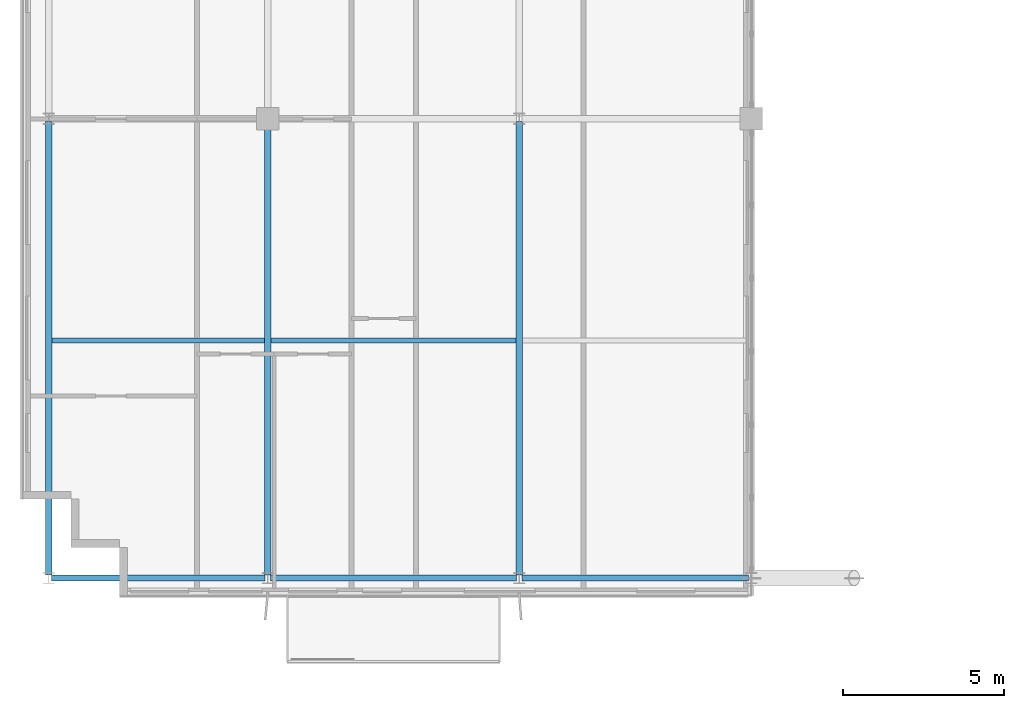
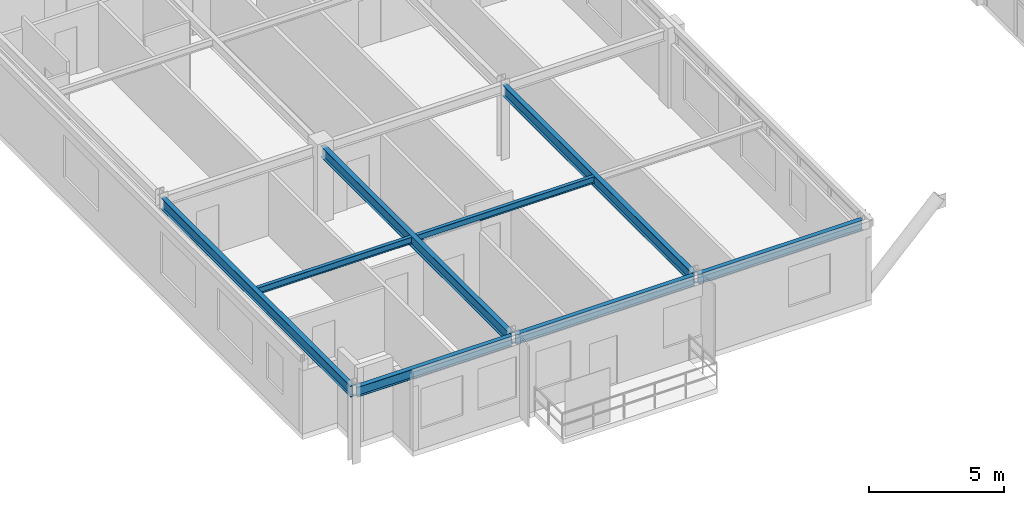
# One storey, part 5 of 35: 8 beams.
"""IFC4 building model written with IfcOpenShell, lengths in metres."""

from ifc_helpers import new_model, si_unit, direction, frame, origin, origin_2d, place, context, subcontext, project, spatial, i_section, extrude, source, transform, mapped, material, material_profile, profile_set, type_object, element, save


model = new_model("IFC4")

# Units and contexts
model_context = context("Model", 3, precision=1e-05, world=origin(), true_north=direction((0.0, 1.0)))
body_context = subcontext(model_context, "Body", "Model", "MODEL_VIEW")
ifc_project = project(units=[si_unit("LENGTHUNIT", "METRE"), si_unit("AREAUNIT", "SQUARE_METRE"), si_unit("VOLUMEUNIT", "CUBIC_METRE"), si_unit("PLANEANGLEUNIT", "RADIAN"), si_unit("MASSUNIT", "GRAM", prefix="KILO")], contexts=[model_context])

# Site, building, storey
site_placement = place(None, origin())
site = spatial("IfcSite", under=ifc_project, at=site_placement, CompositionType="ELEMENT")
building_placement = place(site_placement, origin())
building = spatial("IfcBuilding", under=site, at=building_placement, Name="Trelvane Seafront Commons", CompositionType="ELEMENT")
storey_placement = place(building_placement, frame((0.0, 0.0, 194.10009765625)))
storey = spatial("IfcBuildingStorey", under=building, at=storey_placement, Name="L50", CompositionType="ELEMENT", Elevation=194.10009765625)

# Beams
ifc_material = material(Name="Steel SM355 (S355)", Category="steel")
ifc_material_profile_1 = material_profile(ifc_material, i_section(OverallWidth=0.199951171875, OverallDepth=0.449951171875, WebThickness=0.009033203125, FlangeThickness=0.013916015625, at=origin_2d()), Name="H-450x200x9x14")
ifc_profile_set_1 = profile_set([ifc_material_profile_1], Name="Steel SM355 (S355)")
beam_type_1 = type_object("IfcBeamType", Name="STR-SPD-H450", PredefinedType="SPANDREL", material=ifc_profile_set_1)
shared_shape_1 = source(origin(), body_context, "Body", "SweptSolid", [
    extrude(i_section(OverallWidth=0.199951171875, OverallDepth=0.449951171875, WebThickness=0.009033203125, FlangeThickness=0.013916015625, at=origin_2d()), origin(), (0.0, 0.0, 1.0), 6.625),
])
beam_1_placement = place(storey_placement, frame((8.887451171875, 3.949951171875, 3.135009765625), z_axis=(1.0, 0.0, 0.0), x_axis=(0.0, 1.0, 0.0)))
element("IfcBeam", 1, at=beam_1_placement, inside=storey, type_object=beam_type_1, Name="L50 Primary Girder G-01", PredefinedType="SPANDREL", context=body_context, shape_type="MappedRepresentation", body=[
    mapped(shared_shape_1, transform((0.0, 0.0, 0.0), x_axis=(1.0, 0.0, 0.0), y_axis=(0.0, 1.0, 0.0), z_axis=(0.0, 0.0, 1.0), scale=1.0)),
])
shared_shape_2 = source(origin(), body_context, "Body", "SweptSolid", [
    extrude(i_section(OverallWidth=0.199951171875, OverallDepth=0.449951171875, WebThickness=0.009033203125, FlangeThickness=0.013916015625, at=origin_2d()), origin(), (0.0, 0.0, 1.0), 7.625),
])
beam_2_placement = place(storey_placement, frame((15.6875, 3.949951171875, 3.135009765625), z_axis=(1.0, 0.0, 0.0), x_axis=(0.0, 1.0, 0.0)))
element("IfcBeam", 2, at=beam_2_placement, inside=storey, type_object=beam_type_1, Name="L50 Primary Girder G-02", PredefinedType="SPANDREL", context=body_context, shape_type="MappedRepresentation", body=[
    mapped(shared_shape_2, transform((0.0, 0.0, 0.0), x_axis=(1.0, 0.0, 0.0), y_axis=(0.0, 1.0, 0.0), z_axis=(0.0, 0.0, 1.0), scale=1.0)),
])
shared_shape_3 = source(origin(), body_context, "Body", "SweptSolid", [
    extrude(i_section(OverallWidth=0.199951171875, OverallDepth=0.449951171875, WebThickness=0.009033203125, FlangeThickness=0.013916015625, at=origin_2d()), origin(), (0.0, 0.0, 1.0), 7.02490234375),
])
beam_3_placement = place(storey_placement, frame((23.487548828125, 3.949951171875, 3.135009765625), z_axis=(1.0, 0.0, 0.0), x_axis=(0.0, 1.0, 0.0)))
element("IfcBeam", 3, at=beam_3_placement, inside=storey, type_object=beam_type_1, Name="L50 Primary Girder G-03", PredefinedType="SPANDREL", context=body_context, shape_type="MappedRepresentation", body=[
    mapped(shared_shape_3, transform((0.0, 0.0, 0.0), x_axis=(1.0, 0.0, 0.0), y_axis=(0.0, 1.0, 0.0), z_axis=(0.0, 0.0, 1.0), scale=1.0)),
])
ifc_material_profile_2 = material_profile(ifc_material, i_section(OverallWidth=0.199951171875, OverallDepth=0.5, WebThickness=0.010009765625, FlangeThickness=0.01611328125, at=origin_2d()), Name="H-500x200x10x16")
ifc_profile_set_2 = profile_set([ifc_material_profile_2], Name="Steel SM355 (S355)")
beam_type_2 = type_object("IfcBeamType", Name="STR-BM-H500", PredefinedType="BEAM", material=ifc_profile_set_2)
shared_shape_4 = source(origin(), body_context, "Body", "SweptSolid", [
    extrude(i_section(OverallWidth=0.199951171875, OverallDepth=0.5, WebThickness=0.010009765625, FlangeThickness=0.01611328125, at=origin_2d()), origin(), (0.0, 0.0, 1.0), 14.074951171875),
])
for number, where, z_axis, x_axis, name in (
    (4, (8.800048828125, 4.03759765625, 3.10986328125), (0.0, 1.0, 0.0), (-1.0, 0.0, 0.0), "L50 Primary Girder G-29"),
    (5, (23.39990234375, 4.03759765625, 3.10986328125), (0.0, 1.0, 0.0), (-1.0, 0.0, 0.0), "L50 Primary Girder G-35"),
):
    element("IfcBeam", number, at=place(storey_placement, frame(where, z_axis=z_axis, x_axis=x_axis)), inside=storey, type_object=beam_type_2, Name=name, PredefinedType="BEAM", context=body_context, shape_type="MappedRepresentation", body=[
        mapped(shared_shape_4, transform((0.0, 0.0, 0.0), x_axis=(1.0, 0.0, 0.0), y_axis=(0.0, 1.0, 0.0), z_axis=(0.0, 0.0, 1.0), scale=1.0)),
    ])
shared_shape_5 = source(origin(), body_context, "Body", "SweptSolid", [
    extrude(i_section(OverallWidth=0.199951171875, OverallDepth=0.5, WebThickness=0.010009765625, FlangeThickness=0.01611328125, at=origin_2d()), origin(), (0.0, 0.0, 1.0), 14.012451171875),
])
beam_4_placement = place(storey_placement, frame((15.60009765625, 4.03759765625, 3.10986328125), z_axis=(0.0, 1.0, 0.0), x_axis=(-1.0, 0.0, 0.0)))
element("IfcBeam", 6, at=beam_4_placement, inside=storey, type_object=beam_type_2, Name="L50 Primary Girder G-32", PredefinedType="BEAM", context=body_context, shape_type="MappedRepresentation", body=[
    mapped(shared_shape_5, transform((0.0, 0.0, 0.0), x_axis=(1.0, 0.0, 0.0), y_axis=(0.0, 1.0, 0.0), z_axis=(0.0, 0.0, 1.0), scale=1.0)),
])
ifc_material_profile_3 = material_profile(ifc_material, i_section(OverallWidth=0.14990234375, OverallDepth=0.300048828125, WebThickness=0.006591796875, FlangeThickness=0.009033203125, at=origin_2d()), Name="H-300x150x6.5x9")
ifc_profile_set_3 = profile_set([ifc_material_profile_3], Name="Steel SM355 (S355)")
beam_type_3 = type_object("IfcBeamType", Name="STR-JST-H300", PredefinedType="JOIST", material=ifc_profile_set_3)
shared_shape_6 = source(origin(), body_context, "Body", "SweptSolid", [
    extrude(i_section(OverallWidth=0.14990234375, OverallDepth=0.300048828125, WebThickness=0.006591796875, FlangeThickness=0.009033203125, at=origin_2d()), origin(), (0.0, 0.0, 1.0), 6.60009765625),
])
beam_5_placement = place(storey_placement, frame((8.89990234375, 11.324951171875, 3.2099609375), z_axis=(1.0, 0.0, 0.0), x_axis=(0.0, 1.0, 0.0)))
element("IfcBeam", 7, at=beam_5_placement, inside=storey, type_object=beam_type_3, Name="L50 Secondary Floor Joist B-53", PredefinedType="JOIST", context=body_context, shape_type="MappedRepresentation", body=[
    mapped(shared_shape_6, transform((0.0, 0.0, 0.0), x_axis=(1.0, 0.0, 0.0), y_axis=(0.0, 1.0, 0.0), z_axis=(0.0, 0.0, 1.0), scale=1.0)),
])
shared_shape_7 = source(origin(), body_context, "Body", "SweptSolid", [
    extrude(i_section(OverallWidth=0.14990234375, OverallDepth=0.300048828125, WebThickness=0.006591796875, FlangeThickness=0.009033203125, at=origin_2d()), origin(), (0.0, 0.0, 1.0), 7.60009765625),
])
beam_6_placement = place(storey_placement, frame((15.699951171875, 11.324951171875, 3.2099609375), z_axis=(1.0, 0.0, 0.0), x_axis=(0.0, 1.0, 0.0)))
element("IfcBeam", 8, at=beam_6_placement, inside=storey, type_object=beam_type_3, Name="L50 Secondary Floor Joist B-54", PredefinedType="JOIST", context=body_context, shape_type="MappedRepresentation", body=[
    mapped(shared_shape_7, transform((0.0, 0.0, 0.0), x_axis=(1.0, 0.0, 0.0), y_axis=(0.0, 1.0, 0.0), z_axis=(0.0, 0.0, 1.0), scale=1.0)),
])

save(model, "model.ifc")
